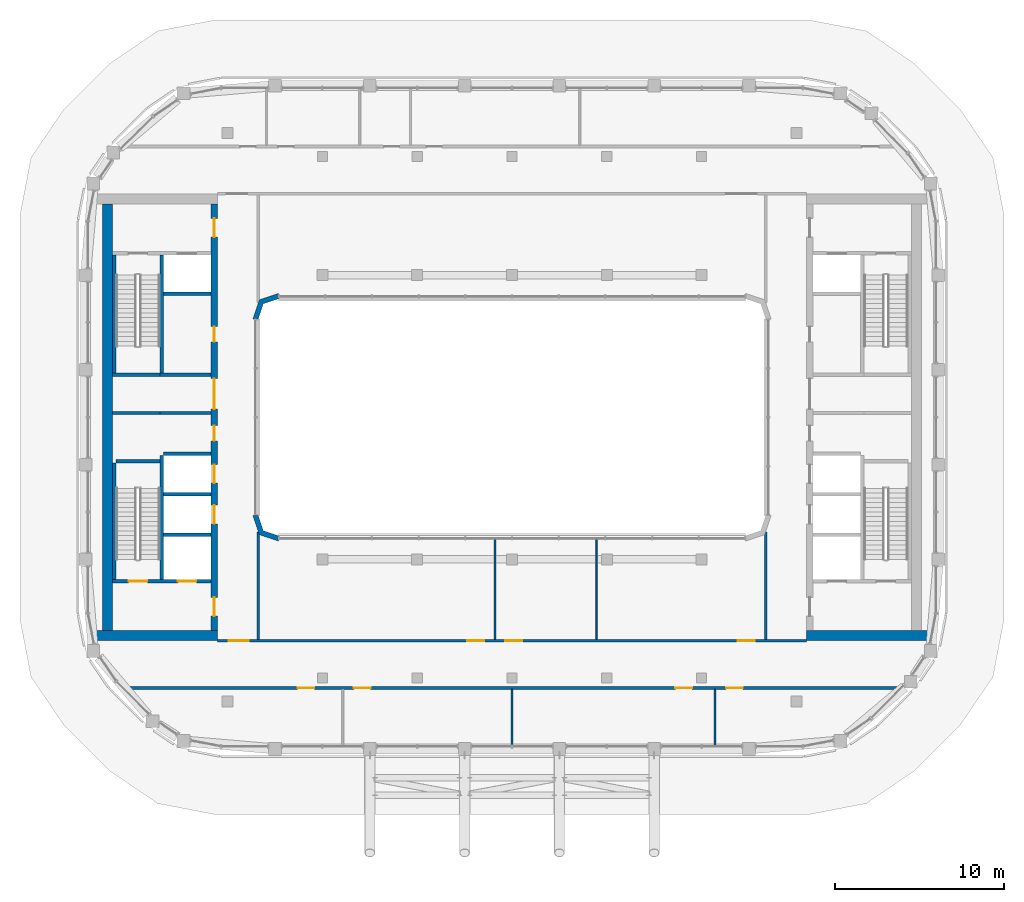
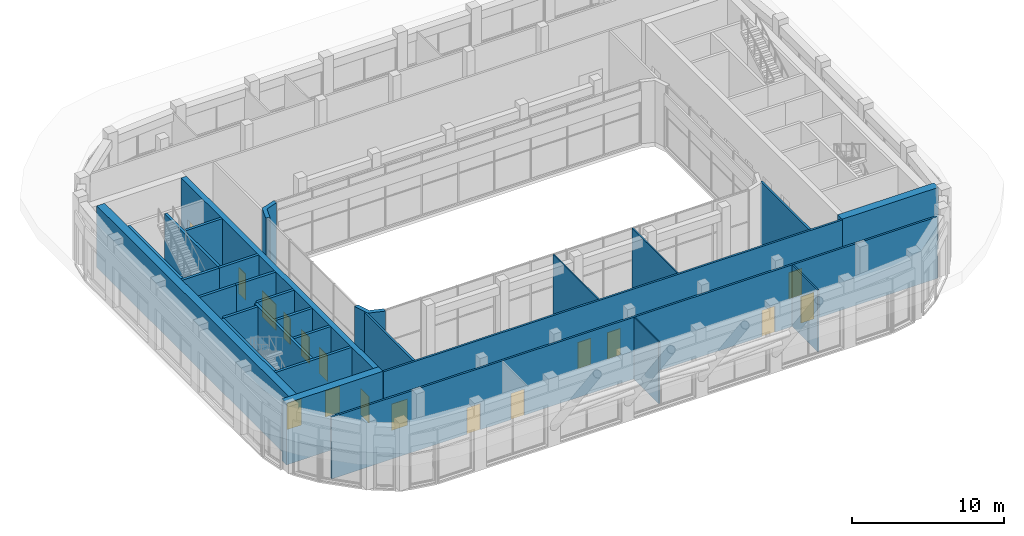
# One storey, part 16 of 24: 28 walls, 17 doors, 17 openings.
"""IFC4 building model written with IfcOpenShell, lengths in metres."""

from ifc_helpers import new_model, si_unit, direction, frame, frame_2d, origin, place, context, subcontext, project, spatial, polyline, rectangle, outline, extrude, material, layer, layer_set, type_object, element, fill, save


model = new_model("IFC4")

# Units and contexts
model_context = context("Model", 3, precision=1e-05, world=origin(), true_north=direction((0.0, 1.0)))
body_context = subcontext(model_context, "Body", "Model", "MODEL_VIEW")
ifc_project = project(units=[si_unit("LENGTHUNIT", "METRE"), si_unit("AREAUNIT", "SQUARE_METRE"), si_unit("VOLUMEUNIT", "CUBIC_METRE"), si_unit("PLANEANGLEUNIT", "RADIAN"), si_unit("MASSUNIT", "GRAM", prefix="KILO")], contexts=[model_context])

# Site, building, storey
site_placement = place(None, origin())
site = spatial("IfcSite", under=ifc_project, at=site_placement, CompositionType="ELEMENT")
building_placement = place(site_placement, origin())
building = spatial("IfcBuilding", under=site, at=building_placement, Name="Kiln Ring Residences", CompositionType="ELEMENT")
storey_placement = place(building_placement, frame((0.0, 0.0, 283.699951171875)))
storey = spatial("IfcBuildingStorey", under=building, at=storey_placement, Name="L74", CompositionType="ELEMENT", Elevation=283.699951171875)

# Walls
ifc_material_1 = material(Name="Gypsum board on steel studs", Category="steel")
ifc_layer_1 = layer(ifc_material_1, 0.199951171875)
ifc_layer_set_1 = layer_set([ifc_layer_1], Name="CORE-PARTITION-200")
wall_type_1 = type_object("IfcWallType", Name="CORE-PARTITION-200", PredefinedType="PARTITIONING", material=ifc_layer_set_1)
wall_1_placement = place(storey_placement, frame((-20.800048828125, 0.25, 0.0), z_axis=(0.0, 0.0, 1.0), x_axis=(-1.0, 0.0, 0.0)))
element("IfcWall", 1, at=wall_1_placement, inside=storey, type_object=wall_type_1, Name="Core partition west L74 1", PredefinedType="PARTITIONING", context=body_context, shape_type="SweptSolid", body=[
    extrude(rectangle(XDim=2.800048828125, YDim=0.199951171875, at=frame_2d((1.39990234375, 0.0))), origin(), (0.0, 0.0, 1.0), 4.949951171875),
])
ifc_material_2 = material(Name="Gypsum shaft wall system")
ifc_layer_2 = layer(ifc_material_2, 0.199951171875)
ifc_layer_set_2 = layer_set([ifc_layer_2], Name="CORE-SHAFT-WALL-200")
wall_type_2 = type_object("IfcWallType", Name="CORE-SHAFT-WALL-200", PredefinedType="PARTITIONING", material=ifc_layer_set_2)
for number, where, z_axis, x_axis, name in (
    (2, (-17.800048828125, -6.949951171875, 0.0), (0.0, 0.0, 1.0), (-1.0, 0.0, 0.0), "Core partition west L74 2"),
    (3, (-17.800048828125, -4.550048828125, 0.0), (0.0, 0.0, 1.0), (-1.0, 0.0, 0.0), "Core partition west L74 3"),
    (4, (-17.800048828125, -2.14990234375, 0.0), (0.0, 0.0, 1.0), (-1.0, 0.0, 0.0), "Core partition west L74 4"),
):
    element("IfcWall", number, at=place(storey_placement, frame(where, z_axis=z_axis, x_axis=x_axis)), inside=storey, type_object=wall_type_2, Name=name, PredefinedType="PARTITIONING", context=body_context, shape_type="SweptSolid", body=[
        extrude(rectangle(XDim=2.800048828125, YDim=0.199951171875, at=frame_2d((1.39990234375, 0.0))), origin(), (0.0, 0.0, 1.0), 4.949951171875),
    ])
for number, where, z_axis, x_axis, name in (
    (5, (-17.800048828125, 0.25, 0.0), (0.0, 0.0, 1.0), (-1.0, 0.0, 0.0), "Core partition west L74 5"),
    (6, (-17.800048828125, 2.5, 0.0), (0.0, 0.0, 1.0), (-1.0, 0.0, 0.0), "Core partition west L74 6"),
):
    element("IfcWall", number, at=place(storey_placement, frame(where, z_axis=z_axis, x_axis=x_axis)), inside=storey, type_object=wall_type_2, Name=name, PredefinedType="PARTITIONING", context=body_context, shape_type="SweptSolid", body=[
        extrude(rectangle(XDim=3.0, YDim=0.199951171875, at=frame_2d((1.5, 0.0))), origin(), (0.0, 0.0, 1.0), 4.949951171875),
    ])
wall_2_placement = place(storey_placement, frame((-17.800048828125, 7.300048828125, 0.0), z_axis=(0.0, 0.0, 1.0), x_axis=(-1.0, 0.0, 0.0)))
element("IfcWall", 7, at=wall_2_placement, inside=storey, type_object=wall_type_2, Name="Core partition west L74 7", PredefinedType="PARTITIONING", context=body_context, shape_type="SweptSolid", body=[
    extrude(rectangle(XDim=2.800048828125, YDim=0.199951171875, at=frame_2d((1.39990234375, 0.0))), origin(), (0.0, 0.0, 1.0), 4.949951171875),
])
ifc_material_3 = material(Name="Concrete C40/50", Category="concrete")
ifc_layer_3 = layer(ifc_material_3, 0.199951171875)
ifc_layer_set_3 = layer_set([ifc_layer_3], Name="CORE-WALL-RC200")
wall_type_3 = type_object("IfcWallType", Name="CORE-WALL-RC200", PredefinedType="SHEAR", material=ifc_layer_set_3)
wall_3_placement = place(storey_placement, frame((-20.699951171875, 2.60009765625, 0.0), z_axis=(0.0, 0.0, 1.0), x_axis=(0.0, 1.0, 0.0)))
element("IfcWall", 8, at=wall_3_placement, inside=storey, type_object=wall_type_3, Name="Core wall west L74 1", PredefinedType="SHEAR", context=body_context, shape_type="SweptSolid", body=[
    extrude(rectangle(XDim=7.0, YDim=0.199951171875, at=frame_2d((3.5, 0.0))), origin(), (0.0, 0.0, 1.0), 4.949951171875),
])
wall_4_placement = place(storey_placement, frame((-20.699951171875, -9.60009765625, 0.0), z_axis=(0.0, 0.0, 1.0), x_axis=(0.0, 1.0, 0.0)))
element("IfcWall", 9, at=wall_4_placement, inside=storey, type_object=wall_type_3, Name="Core wall west L74 2", PredefinedType="SHEAR", context=body_context, shape_type="SweptSolid", body=[
    extrude(rectangle(XDim=7.35009765625, YDim=0.199951171875, at=frame_2d((3.675048828125, 0.0))), origin(), (0.0, 0.0, 1.0), 4.949951171875),
])
wall_5_placement = place(storey_placement, frame((-20.800048828125, 2.5, 0.0), z_axis=(0.0, 0.0, 1.0), x_axis=(-1.0, 0.0, 0.0)))
element("IfcWall", 10, at=wall_5_placement, inside=storey, type_object=wall_type_3, Name="Core wall west L74 3", PredefinedType="SHEAR", context=body_context, shape_type="SweptSolid", body=[
    extrude(rectangle(XDim=2.800048828125, YDim=0.199951171875, at=frame_2d((1.39990234375, 0.0))), origin(), (0.0, 0.0, 1.0), 4.949951171875),
])

# Wall, openings, doors
wall_6_placement = place(storey_placement, frame((-17.800048828125, -9.699951171875, 0.0), z_axis=(0.0, 0.0, 1.0), x_axis=(-1.0, 0.0, 0.0)))
wall_6 = element("IfcWall", 11, at=wall_6_placement, inside=storey, type_object=wall_type_3, Name="Core wall west L74 8", PredefinedType="SHEAR", context=body_context, shape_type="SweptSolid", body=[
    extrude(rectangle(XDim=5.800048828125, YDim=0.199951171875, at=frame_2d((2.89990234375, 0.0))), origin(), (0.0, 0.0, 1.0), 4.949951171875),
])
opening_1_placement = place(wall_6_placement, frame((0.85009765625, 0.0, 0.0)))
opening_1 = element("IfcOpeningElement", 12, at=opening_1_placement, cuts=wall_6, Name="Opening L74-CW01", PredefinedType="OPENING", context=body_context, shape_type="SweptSolid", body=[
    extrude(rectangle(XDim=1.10009765625, YDim=2.10009765625, at=frame_2d((0.550048828125, 1.050048828125))), frame((0.0, 0.10986328125, 0.0), z_axis=(0.0, -1.0, 0.0), x_axis=(1.0, 0.0, 0.0)), (0.0, 0.0, 1.0), 0.219970703125),
])
opening_2_placement = place(wall_6_placement, frame((3.75, 0.0, 0.0)))
opening_2 = element("IfcOpeningElement", 13, at=opening_2_placement, cuts=wall_6, Name="Opening L74-CW10", PredefinedType="OPENING", context=body_context, shape_type="SweptSolid", body=[
    extrude(rectangle(XDim=1.10009765625, YDim=2.10009765625, at=frame_2d((0.550048828125, 1.050048828125))), frame((0.0, 0.10986328125, 0.0), z_axis=(0.0, -1.0, 0.0), x_axis=(1.0, 0.0, 0.0)), (0.0, 0.0, 1.0), 0.219970703125),
])
ifc_material_4 = material(Name="Steel door leaf", Category="steel")
door_type_1 = type_object("IfcDoorType", Name="CORE-DOOR-LD", OperationType="DOUBLE_DOOR_SLIDING", PredefinedType="DOOR", material=ifc_material_4)
door_1_placement = place(opening_1_placement, origin())
door_1 = element("IfcDoor", 14, at=door_1_placement, inside=storey, type_object=door_type_1, Name="LD W-SV L74-CW01", OperationType="DOUBLE_DOOR_SLIDING", OverallHeight=2.10009765625, OverallWidth=1.10009765625, PredefinedType="DOOR", context=body_context, shape_type="SweptSolid", body=[
    extrude(rectangle(XDim=1.10009765625, YDim=2.10009765625, at=frame_2d((0.550048828125, 1.050048828125))), frame((0.0, 0.02490234375, 0.0), z_axis=(0.0, -1.0, 0.0), x_axis=(1.0, 0.0, 0.0)), (0.0, 0.0, 1.0), 0.050048828125),
])
fill(opening_1, door_1)
ifc_material_5 = material(Name="Steel door leaf", Category="steel")
door_type_2 = type_object("IfcDoorType", Name="CORE-DOOR-STAIR", OperationType="SINGLE_SWING_LEFT", PredefinedType="DOOR", material=ifc_material_5)
door_2_placement = place(opening_2_placement, origin())
door_2 = element("IfcDoor", 15, at=door_2_placement, inside=storey, type_object=door_type_2, Name="Stair W-STS L74-CW10", OperationType="SINGLE_SWING_LEFT", OverallHeight=2.10009765625, OverallWidth=1.10009765625, PredefinedType="DOOR", context=body_context, shape_type="SweptSolid", body=[
    extrude(rectangle(XDim=1.10009765625, YDim=2.10009765625, at=frame_2d((0.550048828125, 1.050048828125))), frame((0.0, 0.02490234375, 0.0), z_axis=(0.0, -1.0, 0.0), x_axis=(1.0, 0.0, 0.0)), (0.0, 0.0, 1.0), 0.050048828125),
])
fill(opening_2, door_2)

# Walls
wall_7_placement = place(storey_placement, frame((-23.5, 2.60009765625, 0.0), z_axis=(0.0, 0.0, 1.0), x_axis=(0.0, 1.0, 0.0)))
element("IfcWall", 16, at=wall_7_placement, inside=storey, type_object=wall_type_3, Name="Core wall west L74 10", PredefinedType="SHEAR", context=body_context, shape_type="SweptSolid", body=[
    extrude(rectangle(XDim=7.0, YDim=0.199951171875, at=frame_2d((3.5, 0.0))), origin(), (0.0, 0.0, 1.0), 4.949951171875),
])
wall_8_placement = place(storey_placement, frame((-23.5, -9.60009765625, 0.0), z_axis=(0.0, 0.0, 1.0), x_axis=(0.0, 1.0, 0.0)))
element("IfcWall", 17, at=wall_8_placement, inside=storey, type_object=wall_type_3, Name="Core wall west L74 11", PredefinedType="SHEAR", context=body_context, shape_type="SweptSolid", body=[
    extrude(rectangle(XDim=6.900146484375, YDim=0.199951171875, at=frame_2d((3.4501953125, 0.0))), origin(), (0.0, 0.0, 1.0), 4.949951171875),
])
wall_9_placement = place(storey_placement, frame((-20.800048828125, -2.60009765625, 0.0), z_axis=(0.0, 0.0, 1.0), x_axis=(-1.0, 0.0, 0.0)))
element("IfcWall", 18, at=wall_9_placement, inside=storey, type_object=wall_type_3, Name="Core wall west L74 12", PredefinedType="SHEAR", context=body_context, shape_type="SweptSolid", body=[
    extrude(rectangle(XDim=2.599853515625, YDim=0.199951171875, at=frame_2d((1.2998046875, 0.0))), origin(), (0.0, 0.0, 1.0), 4.949951171875),
])

# Wall, openings, doors
ifc_material_6 = material(Name="Concrete C60/75", Category="concrete")
ifc_layer_4 = layer(ifc_material_6, 0.39990234375)
ifc_layer_set_4 = layer_set([ifc_layer_4], Name="CORE-WALL-RC400")
wall_type_4 = type_object("IfcWallType", Name="CORE-WALL-RC400", PredefinedType="SHEAR", material=ifc_layer_set_4)
wall_10_placement = place(storey_placement, frame((-17.60009765625, -12.60009765625, 0.0), z_axis=(0.0, 0.0, 1.0), x_axis=(0.0, 1.0, 0.0)))
wall_10 = element("IfcWall", 19, at=wall_10_placement, inside=storey, type_object=wall_type_4, Name="Core wall west L74 6", PredefinedType="SHEAR", context=body_context, shape_type="SweptSolid", body=[
    extrude(rectangle(XDim=25.2001953125, YDim=0.39990234375, at=frame_2d((12.60009765625, 0.0))), origin(), (0.0, 0.0, 1.0), 4.949951171875),
])
opening_3_placement = place(wall_10_placement, frame((6.300048828125, 0.0, 0.0)))
opening_3 = element("IfcOpeningElement", 20, at=opening_3_placement, cuts=wall_10, Name="Opening L74-CW02", PredefinedType="OPENING", context=body_context, shape_type="SweptSolid", body=[
    extrude(rectangle(XDim=1.10009765625, YDim=2.10009765625, at=frame_2d((0.550048828125, 1.050048828125))), frame((0.0, 0.2099609375, 0.0), z_axis=(0.0, -1.0, 0.0), x_axis=(1.0, 0.0, 0.0)), (0.0, 0.0, 1.0), 0.419921875),
])
opening_4_placement = place(wall_10_placement, frame((8.699951171875, 0.0, 0.0)))
opening_4 = element("IfcOpeningElement", 21, at=opening_4_placement, cuts=wall_10, Name="Opening L74-CW03", PredefinedType="OPENING", context=body_context, shape_type="SweptSolid", body=[
    extrude(rectangle(XDim=1.10009765625, YDim=2.10009765625, at=frame_2d((0.550048828125, 1.050048828125))), frame((0.0, 0.2099609375, 0.0), z_axis=(0.0, -1.0, 0.0), x_axis=(1.0, 0.0, 0.0)), (0.0, 0.0, 1.0), 0.419921875),
])
opening_5_placement = place(wall_10_placement, frame((11.199951171875, 0.0, 0.0)))
opening_5 = element("IfcOpeningElement", 22, at=opening_5_placement, cuts=wall_10, Name="Opening L74-CW04", PredefinedType="OPENING", context=body_context, shape_type="SweptSolid", body=[
    extrude(rectangle(XDim=0.89990234375, YDim=2.10009765625, at=frame_2d((0.449951171875, 1.050048828125))), frame((0.0, 0.2099609375, 0.0), z_axis=(0.0, -1.0, 0.0), x_axis=(1.0, 0.0, 0.0)), (0.0, 0.0, 1.0), 0.419921875),
])
opening_6_placement = place(wall_10_placement, frame((17.050048828125, 0.0, 0.0)))
opening_6 = element("IfcOpeningElement", 23, at=opening_6_placement, cuts=wall_10, Name="Opening L74-CW05", PredefinedType="OPENING", context=body_context, shape_type="SweptSolid", body=[
    extrude(rectangle(XDim=0.89990234375, YDim=2.10009765625, at=frame_2d((0.449951171875, 1.050048828125))), frame((0.0, 0.2099609375, 0.0), z_axis=(0.0, -1.0, 0.0), x_axis=(1.0, 0.0, 0.0)), (0.0, 0.0, 1.0), 0.419921875),
])
opening_7_placement = place(wall_10_placement, frame((23.25, 0.0, 0.0)))
opening_7 = element("IfcOpeningElement", 24, at=opening_7_placement, cuts=wall_10, Name="Opening L74-CW07", PredefinedType="OPENING", context=body_context, shape_type="SweptSolid", body=[
    extrude(rectangle(XDim=1.10009765625, YDim=2.10009765625, at=frame_2d((0.550048828125, 1.050048828125))), frame((0.0, 0.2099609375, 0.0), z_axis=(0.0, -1.0, 0.0), x_axis=(1.0, 0.0, 0.0)), (0.0, 0.0, 1.0), 0.419921875),
])
opening_8_placement = place(wall_10_placement, frame((0.85009765625, 0.0, 0.0)))
opening_8 = element("IfcOpeningElement", 25, at=opening_8_placement, cuts=wall_10, Name="Opening L74-CW08", PredefinedType="OPENING", context=body_context, shape_type="SweptSolid", body=[
    extrude(rectangle(XDim=1.10009765625, YDim=2.10009765625, at=frame_2d((0.550048828125, 1.050048828125))), frame((0.0, 0.2099609375, 0.0), z_axis=(0.0, -1.0, 0.0), x_axis=(1.0, 0.0, 0.0)), (0.0, 0.0, 1.0), 0.419921875),
])
opening_9_placement = place(wall_10_placement, frame((13.074951171875, 0.0, 0.0)))
opening_9 = element("IfcOpeningElement", 26, at=opening_9_placement, cuts=wall_10, Name="Opening L74-CW11", PredefinedType="OPENING", context=body_context, shape_type="SweptSolid", body=[
    extrude(rectangle(XDim=1.800048828125, YDim=2.10009765625, at=frame_2d((0.89990234375, 1.050048828125))), frame((0.0, 0.2099609375, 0.0), z_axis=(0.0, -1.0, 0.0), x_axis=(1.0, 0.0, 0.0)), (0.0, 0.0, 1.0), 0.419921875),
])
door_3_placement = place(opening_3_placement, origin())
door_3 = element("IfcDoor", 27, at=door_3_placement, inside=storey, type_object=door_type_1, Name="LD W-H1 L74-CW02", OperationType="DOUBLE_DOOR_SLIDING", OverallHeight=2.10009765625, OverallWidth=1.10009765625, PredefinedType="DOOR", context=body_context, shape_type="SweptSolid", body=[
    extrude(rectangle(XDim=1.10009765625, YDim=2.10009765625, at=frame_2d((0.550048828125, 1.050048828125))), frame((0.0, 0.02490234375, 0.0), z_axis=(0.0, -1.0, 0.0), x_axis=(1.0, 0.0, 0.0)), (0.0, 0.0, 1.0), 0.050048828125),
])
fill(opening_3, door_3)
door_4_placement = place(opening_4_placement, origin())
door_4 = element("IfcDoor", 28, at=door_4_placement, inside=storey, type_object=door_type_1, Name="LD W-H2 L74-CW03", OperationType="DOUBLE_DOOR_SLIDING", OverallHeight=2.10009765625, OverallWidth=1.10009765625, PredefinedType="DOOR", context=body_context, shape_type="SweptSolid", body=[
    extrude(rectangle(XDim=1.10009765625, YDim=2.10009765625, at=frame_2d((0.550048828125, 1.050048828125))), frame((0.0, 0.02490234375, 0.0), z_axis=(0.0, -1.0, 0.0), x_axis=(1.0, 0.0, 0.0)), (0.0, 0.0, 1.0), 0.050048828125),
])
fill(opening_4, door_4)
ifc_material_7 = material(Name="Steel door leaf", Category="steel")
door_type_3 = type_object("IfcDoorType", Name="CORE-DOOR-LOBBY", OperationType="SINGLE_SWING_LEFT", PredefinedType="DOOR", material=ifc_material_7)
door_5_placement = place(opening_7_placement, origin())
door_5 = element("IfcDoor", 29, at=door_5_placement, inside=storey, type_object=door_type_3, Name="FFL L74-CW07", OperationType="SINGLE_SWING_RIGHT", OverallHeight=2.10009765625, OverallWidth=1.10009765625, PredefinedType="DOOR", context=body_context, shape_type="SweptSolid", body=[
    extrude(rectangle(XDim=1.10009765625, YDim=2.10009765625, at=frame_2d((0.550048828125, 1.050048828125))), frame((0.0, 0.02490234375, 0.0), z_axis=(0.0, -1.0, 0.0), x_axis=(1.0, 0.0, 0.0)), (0.0, 0.0, 1.0), 0.050048828125),
])
fill(opening_7, door_5)
door_6_placement = place(opening_8_placement, origin())
door_6 = element("IfcDoor", 30, at=door_6_placement, inside=storey, type_object=door_type_3, Name="SVL L74-CW08", OperationType="SINGLE_SWING_LEFT", OverallHeight=2.10009765625, OverallWidth=1.10009765625, PredefinedType="DOOR", context=body_context, shape_type="SweptSolid", body=[
    extrude(rectangle(XDim=1.10009765625, YDim=2.10009765625, at=frame_2d((0.550048828125, 1.050048828125))), frame((0.0, 0.02490234375, 0.0), z_axis=(0.0, -1.0, 0.0), x_axis=(1.0, 0.0, 0.0)), (0.0, 0.0, 1.0), 0.050048828125),
])
fill(opening_8, door_6)
ifc_material_8 = material(Name="Steel door leaf", Category="steel")
door_type_4 = type_object("IfcDoorType", Name="CORE-DOOR-PASS", OperationType="DOUBLE_DOOR_SINGLE_SWING", PredefinedType="DOOR", material=ifc_material_8)
door_7_placement = place(opening_9_placement, origin())
door_7 = element("IfcDoor", 31, at=door_7_placement, inside=storey, type_object=door_type_4, Name="Core passage L74-CW11", OperationType="DOUBLE_DOOR_SINGLE_SWING", OverallHeight=2.10009765625, OverallWidth=1.800048828125, PredefinedType="DOOR", context=body_context, shape_type="SweptSolid", body=[
    extrude(rectangle(XDim=1.800048828125, YDim=2.10009765625, at=frame_2d((0.89990234375, 1.050048828125))), frame((0.0, 0.02490234375, 0.0), z_axis=(0.0, -1.0, 0.0), x_axis=(1.0, 0.0, 0.0)), (0.0, 0.0, 1.0), 0.050048828125),
])
fill(opening_9, door_7)
ifc_material_9 = material(Name="Steel door leaf", Category="steel")
door_type_5 = type_object("IfcDoorType", Name="CORE-DOOR-ROOM", OperationType="SINGLE_SWING_LEFT", PredefinedType="DOOR", material=ifc_material_9)
door_8_placement = place(opening_5_placement, origin())
door_8 = element("IfcDoor", 32, at=door_8_placement, inside=storey, type_object=door_type_5, Name="Cleaner's base L74-CW04", OperationType="SINGLE_SWING_RIGHT", OverallHeight=2.10009765625, OverallWidth=0.89990234375, PredefinedType="DOOR", context=body_context, shape_type="SweptSolid", body=[
    extrude(rectangle(XDim=0.89990234375, YDim=2.10009765625, at=frame_2d((0.449951171875, 1.050048828125))), frame((0.0, 0.02490234375, 0.0), z_axis=(0.0, -1.0, 0.0), x_axis=(1.0, 0.0, 0.0)), (0.0, 0.0, 1.0), 0.050048828125),
])
fill(opening_5, door_8)
door_9_placement = place(opening_6_placement, origin())
door_9 = element("IfcDoor", 33, at=door_9_placement, inside=storey, type_object=door_type_5, Name="Goods store L74-CW05", OperationType="SINGLE_SWING_LEFT", OverallHeight=2.10009765625, OverallWidth=0.89990234375, PredefinedType="DOOR", context=body_context, shape_type="SweptSolid", body=[
    extrude(rectangle(XDim=0.89990234375, YDim=2.10009765625, at=frame_2d((0.449951171875, 1.050048828125))), frame((0.0, 0.02490234375, 0.0), z_axis=(0.0, -1.0, 0.0), x_axis=(1.0, 0.0, 0.0)), (0.0, 0.0, 1.0), 0.050048828125),
])
fill(opening_6, door_9)

# Walls
ifc_material_10 = material(Name="Concrete C60/75", Category="concrete")
ifc_layer_5 = layer(ifc_material_10, 0.60009765625)
ifc_layer_set_5 = layer_set([ifc_layer_5], Name="CORE-WALL-RC600")
wall_type_5 = type_object("IfcWallType", Name="CORE-WALL-RC600", PredefinedType="SHEAR", material=ifc_layer_set_5)
wall_11_placement = place(storey_placement, frame((-17.39990234375, -12.89990234375, 0.0), z_axis=(0.0, 0.0, 1.0), x_axis=(-1.0, 0.0, 0.0)))
element("IfcWall", 34, at=wall_11_placement, inside=storey, type_object=wall_type_5, Name="Core wall west L74 5", PredefinedType="SHEAR", context=body_context, shape_type="SweptSolid", body=[
    extrude(rectangle(XDim=7.320068359375, YDim=0.60009765625, at=frame_2d((3.66015625, 0.0))), origin(), (0.0, 0.0, 1.0), 4.949951171875),
])
wall_12_placement = place(storey_placement, frame((-23.89990234375, -12.60009765625, 0.0), z_axis=(0.0, 0.0, 1.0), x_axis=(0.0, 1.0, 0.0)))
element("IfcWall", 35, at=wall_12_placement, inside=storey, type_object=wall_type_5, Name="Core wall west L74 7", PredefinedType="SHEAR", context=body_context, shape_type="SweptSolid", body=[
    extrude(rectangle(XDim=25.2001953125, YDim=0.60009765625, at=frame_2d((12.60009765625, 0.0))), origin(), (0.0, 0.0, 1.0), 4.949951171875),
])
wall_13_placement = place(storey_placement, frame((17.39990234375, -12.89990234375, 0.0), z_axis=(0.0, 0.0, 1.0), x_axis=(1.0, 0.0, 0.0)))
element("IfcWall", 36, at=wall_13_placement, inside=storey, type_object=wall_type_5, Name="Core wall east L74 5", PredefinedType="SHEAR", context=body_context, shape_type="SweptSolid", body=[
    extrude(rectangle(XDim=7.320068359375, YDim=0.60009765625, at=frame_2d((3.66015625, 0.0))), origin(), (0.0, 0.0, 1.0), 4.949951171875),
])
ifc_material_11 = material(Name="Brick masonry, dark clay brick", Category="masonry")
ifc_layer_6 = layer(ifc_material_11, 0.300048828125)
ifc_layer_set_6 = layer_set([ifc_layer_6], Name="EW-300 BRICK WALL")
wall_type_6 = type_object("IfcWallType", Name="EW-300 BRICK WALL", PredefinedType="SOLIDWALL", material=ifc_layer_set_6)
placement = place(storey_placement, origin())
element("IfcWall", 37, at=placement, inside=storey, type_object=wall_type_6, Name="Corner wall L74 1", PredefinedType="SOLIDWALL", context=body_context, shape_type="SweptSolid", body=[
    extrude(outline(polyline([(-13.8486328125, 7.300048828125), (-14.937255859375, 6.937255859375), (-15.300048828125, 5.8486328125), (-15.300048828125, 5.800048828125), (-15.0, 5.800048828125), (-14.699951171875, 6.699951171875), (-13.800048828125, 7.0), (-13.800048828125, 7.300048828125), (-13.8486328125, 7.300048828125)])), origin(), (0.0, 0.0, 1.0), 4.949951171875),
])
element("IfcWall", 38, at=placement, inside=storey, type_object=wall_type_6, Name="Corner wall L74 4", PredefinedType="SOLIDWALL", context=body_context, shape_type="SweptSolid", body=[
    extrude(outline(polyline([(-14.937255859375, -6.937255859375), (-13.8486328125, -7.300048828125), (-13.800048828125, -7.300048828125), (-13.800048828125, -7.0), (-14.699951171875, -6.699951171875), (-15.0, -5.800048828125), (-15.300048828125, -5.800048828125), (-15.300048828125, -5.8486328125), (-14.937255859375, -6.937255859375)])), origin(), (0.0, 0.0, 1.0), 4.949951171875),
])
ifc_material_12 = material(Name="Gypsum board on steel studs", Category="steel")
ifc_layer_7 = layer(ifc_material_12, 0.10009765625)
ifc_layer_set_7 = layer_set([ifc_layer_7], Name="PARTITION-100")
wall_type_7 = type_object("IfcWallType", Name="PARTITION-100", PredefinedType="PARTITIONING", material=ifc_layer_set_7)
wall_16_placement = place(storey_placement, frame((-1.0, -13.125, 0.0), z_axis=(0.0, 0.0, 1.0), x_axis=(0.0, 1.0, 0.0)))
element("IfcWall", 39, at=wall_16_placement, inside=storey, type_object=wall_type_7, Name="Partition 010", PredefinedType="PARTITIONING", context=body_context, shape_type="SweptSolid", body=[
    extrude(rectangle(XDim=5.943115234375, YDim=0.10009765625, at=frame_2d((2.9716796875, 0.0))), origin(), (0.0, 0.0, 1.0), 4.949951171875),
])
wall_17_placement = place(storey_placement, frame((0.0, -19.35009765625, 0.0), z_axis=(0.0, 0.0, 1.0), x_axis=(0.0, 1.0, 0.0)))
element("IfcWall", 40, at=wall_17_placement, inside=storey, type_object=wall_type_7, Name="Partition 011", PredefinedType="PARTITIONING", context=body_context, shape_type="SweptSolid", body=[
    extrude(rectangle(XDim=3.275146484375, YDim=0.10009765625, at=frame_2d((1.6376953125, 0.0))), origin(), (0.0, 0.0, 1.0), 4.949951171875),
])
wall_18_placement = place(storey_placement, frame((5.0, -13.125, 0.0), z_axis=(0.0, 0.0, 1.0), x_axis=(0.0, 1.0, 0.0)))
element("IfcWall", 41, at=wall_18_placement, inside=storey, type_object=wall_type_7, Name="Partition 013", PredefinedType="PARTITIONING", context=body_context, shape_type="SweptSolid", body=[
    extrude(rectangle(XDim=5.943115234375, YDim=0.10009765625, at=frame_2d((2.9716796875, 0.0))), origin(), (0.0, 0.0, 1.0), 4.949951171875),
])
wall_19_placement = place(storey_placement, frame((12.0, -19.416015625, 0.0), z_axis=(0.0, 0.0, 1.0), x_axis=(0.0, 1.0, 0.0)))
element("IfcWall", 42, at=wall_19_placement, inside=storey, type_object=wall_type_7, Name="Partition 014", PredefinedType="PARTITIONING", context=body_context, shape_type="SweptSolid", body=[
    extrude(rectangle(XDim=3.341064453125, YDim=0.10009765625, at=frame_2d((1.67041015625, 0.0))), origin(), (0.0, 0.0, 1.0), 4.949951171875),
])

# Wall, openings, doors
ifc_material_13 = material(Name="Brick masonry partition", Category="masonry")
ifc_layer_8 = layer(ifc_material_13, 0.14990234375)
ifc_layer_set_8 = layer_set([ifc_layer_8], Name="PARTITION-150-ei60")
wall_type_8 = type_object("IfcWallType", Name="PARTITION-150-ei60", PredefinedType="PARTITIONING", material=ifc_layer_set_8)
wall_20_placement = place(storey_placement, frame((-22.947998046875, -16.0, 0.0), z_axis=(0.0, 0.0, 1.0), x_axis=(1.0, 0.0, 0.0)))
wall_20 = element("IfcWall", 43, at=wall_20_placement, inside=storey, type_object=wall_type_8, Name="Partition 000", PredefinedType="PARTITIONING", context=body_context, shape_type="SweptSolid", body=[
    extrude(rectangle(XDim=45.89599609375, YDim=0.14990234375, at=frame_2d((22.947998046875, 0.0))), origin(), (0.0, 0.0, 1.0), 4.949951171875),
])
opening_10_placement = place(wall_20_placement, frame((10.275146484375, 0.0, 0.0)))
opening_10 = element("IfcOpeningElement", 44, at=opening_10_placement, cuts=wall_20, Name="Opening L74-D012", PredefinedType="OPENING", context=body_context, shape_type="SweptSolid", body=[
    extrude(rectangle(XDim=1.0, YDim=2.10009765625, at=frame_2d((0.5, 1.050048828125))), frame((0.0, 0.0849609375, 0.0), z_axis=(0.0, -1.0, 0.0), x_axis=(1.0, 0.0, 0.0)), (0.0, 0.0, 1.0), 0.169921875),
])
opening_11_placement = place(wall_20_placement, frame((13.59814453125, 0.0, 0.0)))
opening_11 = element("IfcOpeningElement", 45, at=opening_11_placement, cuts=wall_20, Name="Opening L74-D013", PredefinedType="OPENING", context=body_context, shape_type="SweptSolid", body=[
    extrude(rectangle(XDim=1.0, YDim=2.10009765625, at=frame_2d((0.5, 1.050048828125))), frame((0.0, 0.0849609375, 0.0), z_axis=(0.0, -1.0, 0.0), x_axis=(1.0, 0.0, 0.0)), (0.0, 0.0, 1.0), 0.169921875),
])
opening_12_placement = place(wall_20_placement, frame((32.59814453125, 0.0, 0.0)))
opening_12 = element("IfcOpeningElement", 46, at=opening_12_placement, cuts=wall_20, Name="Opening L74-D014", PredefinedType="OPENING", context=body_context, shape_type="SweptSolid", body=[
    extrude(rectangle(XDim=1.0, YDim=2.10009765625, at=frame_2d((0.5, 1.050048828125))), frame((0.0, 0.0849609375, 0.0), z_axis=(0.0, -1.0, 0.0), x_axis=(1.0, 0.0, 0.0)), (0.0, 0.0, 1.0), 0.169921875),
])
opening_13_placement = place(wall_20_placement, frame((35.59814453125, 0.0, 0.0)))
opening_13 = element("IfcOpeningElement", 47, at=opening_13_placement, cuts=wall_20, Name="Opening L74-D015", PredefinedType="OPENING", context=body_context, shape_type="SweptSolid", body=[
    extrude(rectangle(XDim=1.0, YDim=2.10009765625, at=frame_2d((0.5, 1.050048828125))), frame((0.0, 0.0849609375, 0.0), z_axis=(0.0, -1.0, 0.0), x_axis=(1.0, 0.0, 0.0)), (0.0, 0.0, 1.0), 0.169921875),
])
ifc_material_14 = material(Name="Steel faced fire door leaf", Category="steel")
door_type_6 = type_object("IfcDoorType", Name="FLAT-DOOR-1000-FR", OperationType="SINGLE_SWING_LEFT", PredefinedType="DOOR", material=ifc_material_14)
door_10_placement = place(opening_10_placement, origin())
door_10 = element("IfcDoor", 48, at=door_10_placement, inside=storey, type_object=door_type_6, Name="Door L74-D012", OperationType="SINGLE_SWING_RIGHT", OverallHeight=2.10009765625, OverallWidth=1.0, PredefinedType="DOOR", context=body_context, shape_type="SweptSolid", body=[
    extrude(rectangle(XDim=1.0, YDim=2.10009765625, at=frame_2d((0.5, 1.050048828125))), frame((0.0, 0.02490234375, 0.0), z_axis=(0.0, -1.0, 0.0), x_axis=(1.0, 0.0, 0.0)), (0.0, 0.0, 1.0), 0.050048828125),
])
fill(opening_10, door_10)
door_11_placement = place(opening_11_placement, origin())
door_11 = element("IfcDoor", 49, at=door_11_placement, inside=storey, type_object=door_type_6, Name="Door L74-D013", OperationType="SINGLE_SWING_LEFT", OverallHeight=2.10009765625, OverallWidth=1.0, PredefinedType="DOOR", context=body_context, shape_type="SweptSolid", body=[
    extrude(rectangle(XDim=1.0, YDim=2.10009765625, at=frame_2d((0.5, 1.050048828125))), frame((0.0, 0.02490234375, 0.0), z_axis=(0.0, -1.0, 0.0), x_axis=(1.0, 0.0, 0.0)), (0.0, 0.0, 1.0), 0.050048828125),
])
fill(opening_11, door_11)
door_12_placement = place(opening_12_placement, origin())
door_12 = element("IfcDoor", 50, at=door_12_placement, inside=storey, type_object=door_type_6, Name="Door L74-D014", OperationType="SINGLE_SWING_RIGHT", OverallHeight=2.10009765625, OverallWidth=1.0, PredefinedType="DOOR", context=body_context, shape_type="SweptSolid", body=[
    extrude(rectangle(XDim=1.0, YDim=2.10009765625, at=frame_2d((0.5, 1.050048828125))), frame((0.0, 0.02490234375, 0.0), z_axis=(0.0, -1.0, 0.0), x_axis=(1.0, 0.0, 0.0)), (0.0, 0.0, 1.0), 0.050048828125),
])
fill(opening_12, door_12)
door_13_placement = place(opening_13_placement, origin())
door_13 = element("IfcDoor", 51, at=door_13_placement, inside=storey, type_object=door_type_6, Name="Door L74-D015", OperationType="SINGLE_SWING_LEFT", OverallHeight=2.10009765625, OverallWidth=1.0, PredefinedType="DOOR", context=body_context, shape_type="SweptSolid", body=[
    extrude(rectangle(XDim=1.0, YDim=2.10009765625, at=frame_2d((0.5, 1.050048828125))), frame((0.0, 0.02490234375, 0.0), z_axis=(0.0, -1.0, 0.0), x_axis=(1.0, 0.0, 0.0)), (0.0, 0.0, 1.0), 0.050048828125),
])
fill(opening_13, door_13)

wall_21_placement = place(storey_placement, frame((-17.39990234375, -13.199951171875, 0.0), z_axis=(0.0, 0.0, 1.0), x_axis=(1.0, 0.0, 0.0)))
wall_21 = element("IfcWall", 52, at=wall_21_placement, inside=storey, type_object=wall_type_8, Name="Partition 001", PredefinedType="PARTITIONING", context=body_context, shape_type="SweptSolid", body=[
    extrude(rectangle(XDim=34.7998046875, YDim=0.14990234375, at=frame_2d((17.39990234375, 0.0))), origin(), (0.0, 0.0, 1.0), 4.949951171875),
])
opening_14_placement = place(wall_21_placement, frame((0.64990234375, 0.0, 0.0)))
opening_14 = element("IfcOpeningElement", 53, at=opening_14_placement, cuts=wall_21, Name="Opening L74-D008", PredefinedType="OPENING", context=body_context, shape_type="SweptSolid", body=[
    extrude(rectangle(XDim=1.199951171875, YDim=2.10009765625, at=frame_2d((0.60009765625, 1.050048828125))), frame((0.0, 0.0849609375, 0.0), z_axis=(0.0, -1.0, 0.0), x_axis=(1.0, 0.0, 0.0)), (0.0, 0.0, 1.0), 0.169921875),
])
opening_15_placement = place(wall_21_placement, frame((14.75, 0.0, 0.0)))
opening_15 = element("IfcOpeningElement", 54, at=opening_15_placement, cuts=wall_21, Name="Opening L74-D009", PredefinedType="OPENING", context=body_context, shape_type="SweptSolid", body=[
    extrude(rectangle(XDim=1.0, YDim=2.10009765625, at=frame_2d((0.5, 1.050048828125))), frame((0.0, 0.0849609375, 0.0), z_axis=(0.0, -1.0, 0.0), x_axis=(1.0, 0.0, 0.0)), (0.0, 0.0, 1.0), 0.169921875),
])
opening_16_placement = place(wall_21_placement, frame((17.0, 0.0, 0.0)))
opening_16 = element("IfcOpeningElement", 55, at=opening_16_placement, cuts=wall_21, Name="Opening L74-D010", PredefinedType="OPENING", context=body_context, shape_type="SweptSolid", body=[
    extrude(rectangle(XDim=1.0, YDim=2.10009765625, at=frame_2d((0.5, 1.050048828125))), frame((0.0, 0.0849609375, 0.0), z_axis=(0.0, -1.0, 0.0), x_axis=(1.0, 0.0, 0.0)), (0.0, 0.0, 1.0), 0.169921875),
])
opening_17_placement = place(wall_21_placement, frame((30.75, 0.0, 0.0)))
opening_17 = element("IfcOpeningElement", 56, at=opening_17_placement, cuts=wall_21, Name="Opening L74-D011", PredefinedType="OPENING", context=body_context, shape_type="SweptSolid", body=[
    extrude(rectangle(XDim=1.0, YDim=2.10009765625, at=frame_2d((0.5, 1.050048828125))), frame((0.0, 0.0849609375, 0.0), z_axis=(0.0, -1.0, 0.0), x_axis=(1.0, 0.0, 0.0)), (0.0, 0.0, 1.0), 0.169921875),
])
door_14_placement = place(opening_15_placement, origin())
door_14 = element("IfcDoor", 57, at=door_14_placement, inside=storey, type_object=door_type_6, Name="Door L74-D009", OperationType="SINGLE_SWING_LEFT", OverallHeight=2.10009765625, OverallWidth=1.0, PredefinedType="DOOR", context=body_context, shape_type="SweptSolid", body=[
    extrude(rectangle(XDim=1.0, YDim=2.10009765625, at=frame_2d((0.5, 1.050048828125))), frame((0.0, 0.02490234375, 0.0), z_axis=(0.0, -1.0, 0.0), x_axis=(1.0, 0.0, 0.0)), (0.0, 0.0, 1.0), 0.050048828125),
])
fill(opening_15, door_14)
door_15_placement = place(opening_16_placement, origin())
door_15 = element("IfcDoor", 58, at=door_15_placement, inside=storey, type_object=door_type_6, Name="Door L74-D010", OperationType="SINGLE_SWING_RIGHT", OverallHeight=2.10009765625, OverallWidth=1.0, PredefinedType="DOOR", context=body_context, shape_type="SweptSolid", body=[
    extrude(rectangle(XDim=1.0, YDim=2.10009765625, at=frame_2d((0.5, 1.050048828125))), frame((0.0, 0.02490234375, 0.0), z_axis=(0.0, -1.0, 0.0), x_axis=(1.0, 0.0, 0.0)), (0.0, 0.0, 1.0), 0.050048828125),
])
fill(opening_16, door_15)
door_16_placement = place(opening_17_placement, origin())
door_16 = element("IfcDoor", 59, at=door_16_placement, inside=storey, type_object=door_type_6, Name="Door L74-D011", OperationType="SINGLE_SWING_LEFT", OverallHeight=2.10009765625, OverallWidth=1.0, PredefinedType="DOOR", context=body_context, shape_type="SweptSolid", body=[
    extrude(rectangle(XDim=1.0, YDim=2.10009765625, at=frame_2d((0.5, 1.050048828125))), frame((0.0, 0.02490234375, 0.0), z_axis=(0.0, -1.0, 0.0), x_axis=(1.0, 0.0, 0.0)), (0.0, 0.0, 1.0), 0.050048828125),
])
fill(opening_17, door_16)
ifc_material_15 = material(Name="Steel faced fire door leaf", Category="steel")
door_type_7 = type_object("IfcDoorType", Name="FLAT-DOOR-1200-FR", OperationType="SINGLE_SWING_LEFT", PredefinedType="DOOR", material=ifc_material_15)
door_17_placement = place(opening_14_placement, origin())
door_17 = element("IfcDoor", 60, at=door_17_placement, inside=storey, type_object=door_type_7, Name="Door L74-D008", OperationType="SINGLE_SWING_LEFT", OverallHeight=2.10009765625, OverallWidth=1.199951171875, PredefinedType="DOOR", context=body_context, shape_type="SweptSolid", body=[
    extrude(rectangle(XDim=1.199951171875, YDim=2.10009765625, at=frame_2d((0.60009765625, 1.050048828125))), frame((0.0, 0.02490234375, 0.0), z_axis=(0.0, -1.0, 0.0), x_axis=(1.0, 0.0, 0.0)), (0.0, 0.0, 1.0), 0.050048828125),
])
fill(opening_14, door_17)

# Walls
for number, where, z_axis, x_axis, name in (
    (61, (-15.0, -13.125, 0.0), (0.0, 0.0, 1.0), (0.0, 1.0, 0.0), "Partition 004"),
    (62, (15.0, -13.125, 0.0), (0.0, 0.0, 1.0), (0.0, 1.0, 0.0), "Partition 015"),
):
    element("IfcWall", number, at=place(storey_placement, frame(where, z_axis=z_axis, x_axis=x_axis)), inside=storey, type_object=wall_type_8, Name=name, PredefinedType="PARTITIONING", context=body_context, shape_type="SweptSolid", body=[
        extrude(rectangle(XDim=6.356201171875, YDim=0.14990234375, at=frame_2d((3.17822265625, 0.0))), origin(), (0.0, 0.0, 1.0), 4.949951171875),
    ])

save(model, "model.ifc")
